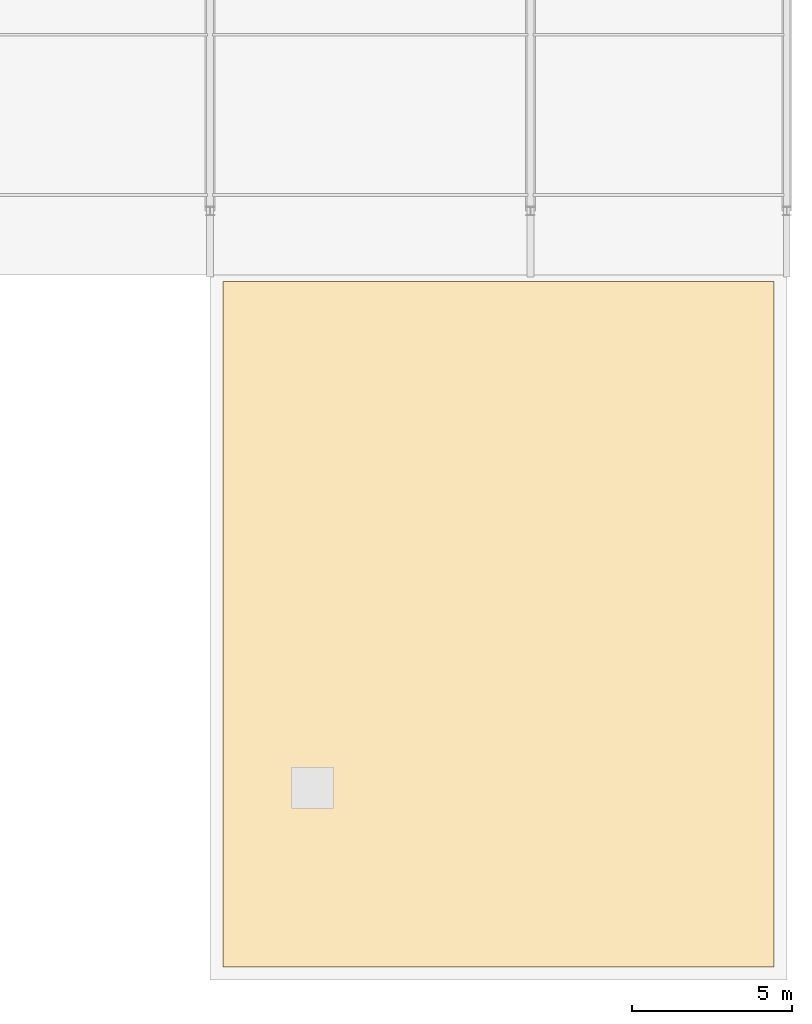
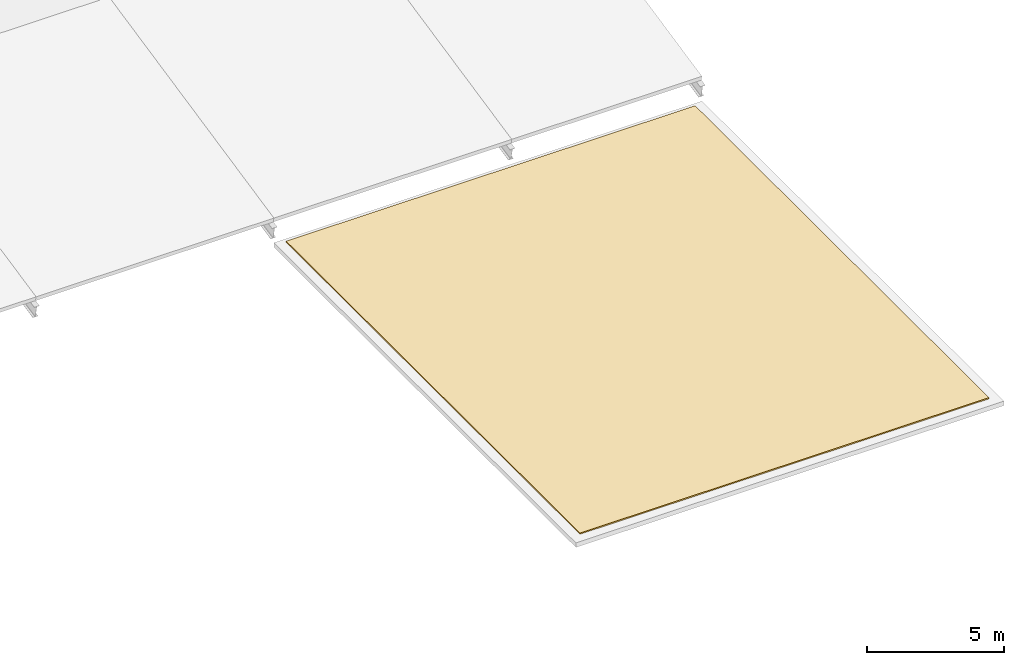
# One storey, part 10 of 10: 1 covering.
"""IFC4 building model written with IfcOpenShell, lengths in metres."""

from ifc_helpers import new_model, si_unit, direction, frame, origin, place, context, subcontext, project, spatial, polyline, outline, extrude, material, layer, layer_set, type_object, element, save


model = new_model("IFC4")

# Units and contexts
model_context = context("Model", 3, precision=1e-05, world=origin(), true_north=direction((0.0, 1.0)))
body_context = subcontext(model_context, "Body", "Model", "MODEL_VIEW")
ifc_project = project(units=[si_unit("LENGTHUNIT", "METRE"), si_unit("AREAUNIT", "SQUARE_METRE"), si_unit("VOLUMEUNIT", "CUBIC_METRE"), si_unit("PLANEANGLEUNIT", "RADIAN"), si_unit("MASSUNIT", "GRAM", prefix="KILO")], contexts=[model_context])

# Site, building, storey
site_placement = place(None, origin())
site = spatial("IfcSite", under=ifc_project, at=site_placement, CompositionType="ELEMENT")
building_placement = place(site_placement, origin())
building = spatial("IfcBuilding", under=site, at=building_placement, Name="Kivolera Central Railway Station", CompositionType="ELEMENT")
storey_placement = place(building_placement, frame((0.0, 0.0, 31.199951171875)))
storey = spatial("IfcBuildingStorey", under=building, at=storey_placement, Name="Roof", CompositionType="ELEMENT", Elevation=31.199951171875)

# Covering
ifc_material = material(Name="Anodised aluminium", Category="aluminium")
ifc_layer = layer(ifc_material, 0.054931640625, Name="Anodised aluminium")
ifc_layer_set = layer_set([ifc_layer], Name="Anodised aluminium")
covering_type = type_object("IfcCoveringType", Name="COV-ROOF-SEAM-55", PredefinedType="ROOFING", material=ifc_layer_set)
covering_placement = place(storey_placement, origin())
element("IfcCovering", 1, at=covering_placement, inside=storey, type_object=covering_type, Name="Roof Monsoon Roof Surfacing COV-RF-EACAD", PredefinedType="ROOFING", context=body_context, shape_type="SweptSolid", body=[
    extrude(outline(polyline([(178.39990234375, 90.39990234375), (195.60009765625, 90.39990234375), (195.60009765625, 111.800048828125), (178.39990234375, 111.800048828125), (178.39990234375, 90.39990234375)])), origin(), (0.0, 0.0, 1.0), 0.054931640625),
])

save(model, "model.ifc")
